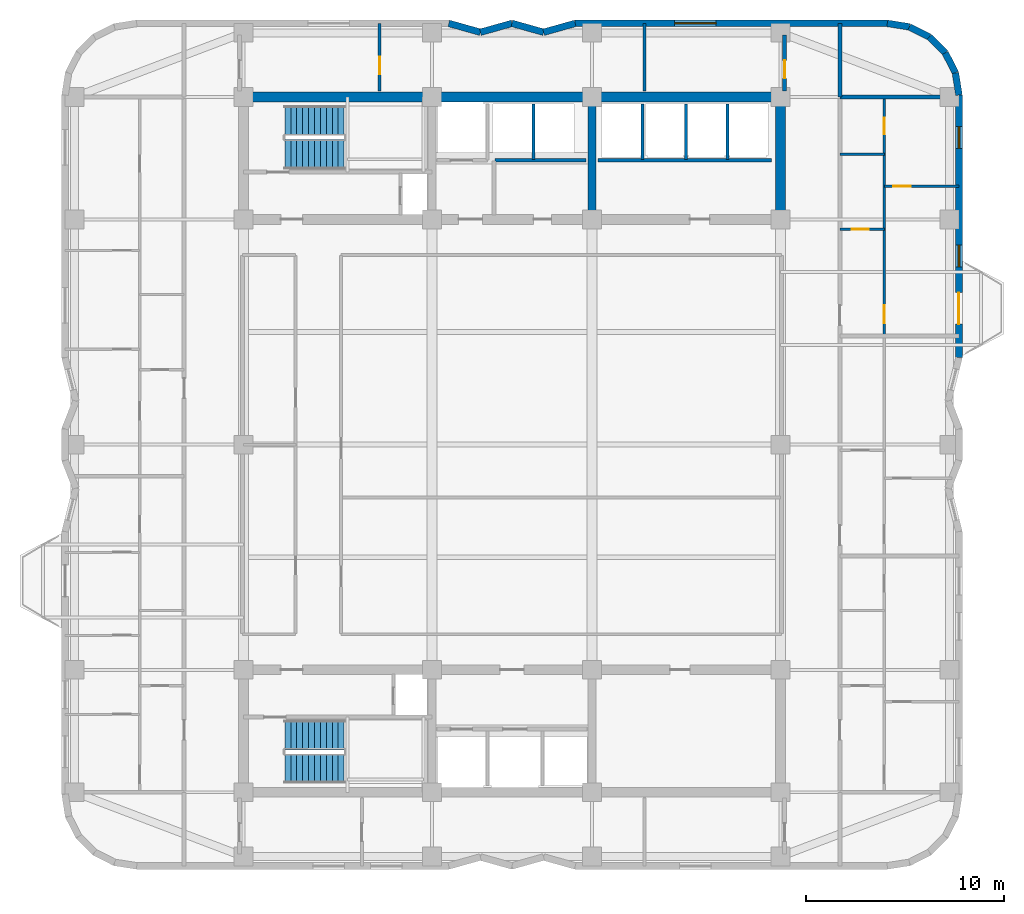
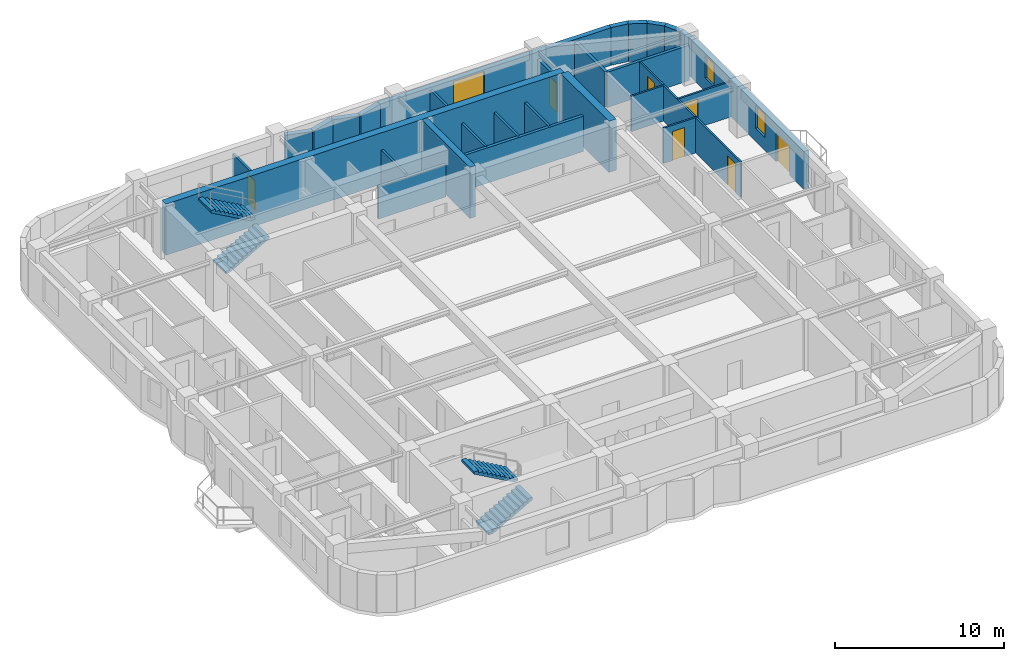
# One storey, part 6 of 8: 29 walls, 7 doors, 4 stair flights, 3 windows, 10 openings, 2 elements without a shape of their own.
"""IFC4 building model written with IfcOpenShell, lengths in metres."""

from ifc_helpers import new_model, si_unit, direction, frame, frame_2d, origin, place, context, subcontext, project, spatial, polyline, rectangle, outline, extrude, material, layer, layer_set, type_object, element, fill, aggregate, save


model = new_model("IFC4")

# Units and contexts
model_context = context("Model", 3, precision=1e-05, world=origin(), true_north=direction((0.0, 1.0)))
body_context = subcontext(model_context, "Body", "Model", "MODEL_VIEW")
ifc_project = project(units=[si_unit("LENGTHUNIT", "METRE"), si_unit("AREAUNIT", "SQUARE_METRE"), si_unit("VOLUMEUNIT", "CUBIC_METRE"), si_unit("PLANEANGLEUNIT", "RADIAN"), si_unit("MASSUNIT", "GRAM", prefix="KILO")], contexts=[model_context])

# Site, building, storey
site_placement = place(None, origin())
site = spatial("IfcSite", under=ifc_project, at=site_placement, CompositionType="ELEMENT")
building_placement = place(site_placement, origin())
building = spatial("IfcBuilding", under=site, at=building_placement, Name="Svetorya Sky Lyceum", CompositionType="ELEMENT")
storey_placement = place(building_placement, frame((0.0, 0.0, 147.800048828125)))
storey = spatial("IfcBuildingStorey", under=building, at=storey_placement, Name="L36", CompositionType="ELEMENT", Elevation=147.800048828125)

# Walls
ifc_material_1 = material(Name="Concrete C40/50", Category="concrete")
ifc_layer_1 = layer(ifc_material_1, 0.39990234375)
ifc_layer_set_1 = layer_set([ifc_layer_1], Name="Concrete C40/50")
wall_type_1 = type_object("IfcWallType", Name="WL-CORE-400", PredefinedType="SHEAR", material=ifc_layer_set_1)
wall_1_placement = place(storey_placement, frame((43.25, 39.85009765625, 0.0), z_axis=(0.0, 0.0, 1.0), x_axis=(0.0, 1.0, 0.0)))
element("IfcWall", 1, at=wall_1_placement, inside=storey, type_object=wall_type_1, Name="L36 NC Internal Shear Web WEB2", PredefinedType="SHEAR", context=body_context, shape_type="SweptSolid", body=[
    extrude(rectangle(XDim=5.699951171875, YDim=0.39990234375, at=frame_2d((2.85009765625, 0.0))), origin(), (0.0, 0.0, 1.0), 3.699951171875),
])
ifc_material_2 = material(Name="Concrete C50/60", Category="concrete")
ifc_layer_2 = layer(ifc_material_2, 0.5)
ifc_layer_set_2 = layer_set([ifc_layer_2], Name="Concrete C50/60")
wall_type_2 = type_object("IfcWallType", Name="WL-CORE-500", PredefinedType="SHEAR", material=ifc_layer_set_2)
wall_2_placement = place(storey_placement, frame((25.60009765625, 45.800048828125, 0.0), z_axis=(0.0, 0.0, 1.0), x_axis=(1.0, 0.0, 0.0)))
element("IfcWall", 2, at=wall_2_placement, inside=storey, type_object=wall_type_2, Name="L36 NC Outer Core Shear Wall", PredefinedType="SHEAR", context=body_context, shape_type="SweptSolid", body=[
    extrude(rectangle(XDim=27.199951171875, YDim=0.5, at=frame_2d((13.60009765625, 0.0))), origin(), (0.0, 0.0, 1.0), 3.699951171875),
])
wall_3_placement = place(storey_placement, frame((52.800048828125, 39.85009765625, 0.0), z_axis=(0.0, 0.0, 1.0), x_axis=(0.0, 1.0, 0.0)))
element("IfcWall", 3, at=wall_3_placement, inside=storey, type_object=wall_type_2, Name="L36 NC East Core Shear Wall", PredefinedType="SHEAR", context=body_context, shape_type="SweptSolid", body=[
    extrude(rectangle(XDim=5.699951171875, YDim=0.5, at=frame_2d((2.85009765625, 0.0))), origin(), (0.0, 0.0, 1.0), 3.699951171875),
])

# Wall, openings, door, windows
ifc_material_3 = material(Name="Putilovo limestone rainscreen on autoclaved cellular masonry", Category="masonry")
ifc_layer_3 = layer(ifc_material_3, 0.340087890625)
ifc_layer_set_3 = layer_set([ifc_layer_3], Name="Putilovo limestone rainscreen on autoclaved cellular masonry")
wall_type_3 = type_object("IfcWallType", Name="WL-EXT-340", PredefinedType="SOLIDWALL", material=ifc_layer_set_3)
wall_4_placement = place(storey_placement, frame((61.830078125, 32.60009765625, 0.0), z_axis=(0.0, 0.0, 1.0), x_axis=(0.0, 1.0, 0.0)))
wall_4 = element("IfcWall", 4, at=wall_4_placement, inside=storey, type_object=wall_type_3, Name="L36 Limestone Exterior Wall 23M", PredefinedType="SOLIDWALL", context=body_context, shape_type="SweptSolid", body=[
    extrude(rectangle(XDim=13.2998046875, YDim=0.340087890625, at=frame_2d((6.64990234375, 0.0))), origin(), (0.0, 0.0, 1.0), 2.719970703125),
])
opening_1_placement = place(wall_4_placement, frame((1.699951171875, 0.0, 0.0)))
opening_1 = element("IfcOpeningElement", 5, at=opening_1_placement, cuts=wall_4, Name="Opening D-BL1", PredefinedType="OPENING", context=body_context, shape_type="SweptSolid", body=[
    extrude(rectangle(XDim=1.60009765625, YDim=2.10009765625, at=frame_2d((0.800048828125, 1.050048828125))), frame((0.0, 0.179931640625, 0.0), z_axis=(0.0, -1.0, 0.0), x_axis=(1.0, 0.0, 0.0)), (0.0, 0.0, 1.0), 0.360107421875),
])
opening_2_placement = place(wall_4_placement, frame((4.60009765625, 0.0, 0.949951171875)))
opening_2 = element("IfcOpeningElement", 6, at=opening_2_placement, cuts=wall_4, Name="Opening W-R3", PredefinedType="OPENING", context=body_context, shape_type="SweptSolid", body=[
    extrude(rectangle(XDim=1.10009765625, YDim=1.64990234375, at=frame_2d((0.550048828125, 0.824951171875))), frame((0.0, 0.179931640625, 0.0), z_axis=(0.0, -1.0, 0.0), x_axis=(1.0, 0.0, 0.0)), (0.0, 0.0, 1.0), 0.360107421875),
])
opening_3_placement = place(wall_4_placement, frame((10.60009765625, 0.0, 0.949951171875)))
opening_3 = element("IfcOpeningElement", 7, at=opening_3_placement, cuts=wall_4, Name="Opening W-R3", PredefinedType="OPENING", context=body_context, shape_type="SweptSolid", body=[
    extrude(rectangle(XDim=1.10009765625, YDim=1.64990234375, at=frame_2d((0.550048828125, 0.824951171875))), frame((0.0, 0.179931640625, 0.0), z_axis=(0.0, -1.0, 0.0), x_axis=(1.0, 0.0, 0.0)), (0.0, 0.0, 1.0), 0.360107421875),
])
ifc_material_4 = material(Name="Insulated glazed aluminium balcony door", Category="aluminium")
door_type_1 = type_object("IfcDoorType", Name="DR-BAL-1600", OperationType="DOUBLE_DOOR_SINGLE_SWING", PredefinedType="DOOR", material=ifc_material_4)
door_1_placement = place(opening_1_placement, origin())
door_1 = element("IfcDoor", 8, at=door_1_placement, inside=storey, type_object=door_type_1, Name="L36 Balcony BAL-E1 Door", OperationType="DOUBLE_DOOR_SINGLE_SWING", OverallHeight=2.10009765625, OverallWidth=1.60009765625, PredefinedType="DOOR", context=body_context, shape_type="SweptSolid", body=[
    extrude(rectangle(XDim=1.60009765625, YDim=2.10009765625, at=frame_2d((0.800048828125, 1.050048828125))), frame((0.0, 0.02490234375, 0.0), z_axis=(0.0, -1.0, 0.0), x_axis=(1.0, 0.0, 0.0)), (0.0, 0.0, 1.0), 0.050048828125),
])
fill(opening_1, door_1)
ifc_material_5 = material(Name="Thermally broken aluminium frame with triple low-E glazing", Category="aluminium")
window_type_1 = type_object("IfcWindowType", Name="WN-RES-110", PartitioningType="SINGLE_PANEL", PredefinedType="WINDOW", material=ifc_material_5)
window_1_placement = place(opening_2_placement, origin())
window_1 = element("IfcWindow", 9, at=window_1_placement, inside=storey, type_object=window_type_1, Name="L36 Facade Window W-R3.23M.1", OverallHeight=1.64990234375, OverallWidth=1.10009765625, PartitioningType="SINGLE_PANEL", PredefinedType="WINDOW", context=body_context, shape_type="SweptSolid", body=[
    extrude(rectangle(XDim=1.10009765625, YDim=1.64990234375, at=frame_2d((0.550048828125, 0.824951171875))), frame((0.0, 0.030029296875, 0.0), z_axis=(0.0, -1.0, 0.0), x_axis=(1.0, 0.0, 0.0)), (0.0, 0.0, 1.0), 0.06005859375),
])
fill(opening_2, window_1)
window_2_placement = place(opening_3_placement, origin())
window_2 = element("IfcWindow", 10, at=window_2_placement, inside=storey, type_object=window_type_1, Name="L36 Facade Window W-R3.23M.2", OverallHeight=1.64990234375, OverallWidth=1.10009765625, PartitioningType="SINGLE_PANEL", PredefinedType="WINDOW", context=body_context, shape_type="SweptSolid", body=[
    extrude(rectangle(XDim=1.10009765625, YDim=1.64990234375, at=frame_2d((0.550048828125, 0.824951171875))), frame((0.0, 0.030029296875, 0.0), z_axis=(0.0, -1.0, 0.0), x_axis=(1.0, 0.0, 0.0)), (0.0, 0.0, 1.0), 0.06005859375),
])
fill(opening_3, window_2)

# Walls
for number, where, z_axis, x_axis, name in (
    (11, (61.830078125, 45.89990234375, 0.0), (0.0, 0.0, 1.0), (-0.156481329164, 0.987680916907, 0.0), "L36 Limestone Exterior Wall 24M"),
    (12, (61.65234375, 47.021728515625, 0.0), (0.0, 0.0, 1.0), (-0.453993402883, 0.891005044957, 0.0), "L36 Limestone Exterior Wall 25M"),
):
    element("IfcWall", number, at=place(storey_placement, frame(where, z_axis=z_axis, x_axis=x_axis)), inside=storey, type_object=wall_type_3, Name=name, PredefinedType="SOLIDWALL", context=body_context, shape_type="SweptSolid", body=[
        extrude(rectangle(XDim=1.1357421875, YDim=0.340087890625, at=frame_2d((0.56787109375, 0.0))), origin(), (0.0, 0.0, 1.0), 2.719970703125),
    ])
wall_5_placement = place(storey_placement, frame((61.13671875, 48.03369140625, 0.0), z_axis=(0.0, 0.0, 1.0), x_axis=(-0.707106781187, 0.707106781187, 0.0)))
element("IfcWall", 13, at=wall_5_placement, inside=storey, type_object=wall_type_3, Name="L36 Limestone Exterior Wall 26M", PredefinedType="SOLIDWALL", context=body_context, shape_type="SweptSolid", body=[
    extrude(rectangle(XDim=1.135498046875, YDim=0.340087890625, at=frame_2d((0.56787109375, 0.0))), origin(), (0.0, 0.0, 1.0), 2.719970703125),
])
for number, where, z_axis, x_axis, name in (
    (14, (60.333740234375, 48.836669921875, 0.0), (0.0, 0.0, 1.0), (-0.891005044957, 0.453993402883, 0.0), "L36 Limestone Exterior Wall 27M"),
    (15, (59.32177734375, 49.352294921875, 0.0), (0.0, 0.0, 1.0), (-0.987680916907, 0.156481329164, 0.0), "L36 Limestone Exterior Wall 28M"),
):
    element("IfcWall", number, at=place(storey_placement, frame(where, z_axis=z_axis, x_axis=x_axis)), inside=storey, type_object=wall_type_3, Name=name, PredefinedType="SOLIDWALL", context=body_context, shape_type="SweptSolid", body=[
        extrude(rectangle(XDim=1.1357421875, YDim=0.340087890625, at=frame_2d((0.56787109375, 0.0))), origin(), (0.0, 0.0, 1.0), 2.719970703125),
    ])

# Wall, opening, window
wall_6_placement = place(storey_placement, frame((58.199951171875, 49.530029296875, 0.0), z_axis=(0.0, 0.0, 1.0), x_axis=(-1.0, 0.0, 0.0)))
wall_6 = element("IfcWall", 16, at=wall_6_placement, inside=storey, type_object=wall_type_3, Name="L36 Limestone Exterior Wall 29M", PredefinedType="SOLIDWALL", context=body_context, shape_type="SweptSolid", body=[
    extrude(rectangle(XDim=15.800048828125, YDim=0.340087890625, at=frame_2d((7.89990234375, 0.0))), origin(), (0.0, 0.0, 1.0), 2.719970703125),
])
opening_4_placement = place(wall_6_placement, frame((8.66259765625, 0.0, 0.699951171875)))
opening_4 = element("IfcOpeningElement", 17, at=opening_4_placement, cuts=wall_6, Name="Opening W-R0", PredefinedType="OPENING", context=body_context, shape_type="SweptSolid", body=[
    extrude(rectangle(XDim=2.10009765625, YDim=1.89990234375, at=frame_2d((1.050048828125, 0.949951171875))), frame((0.0, 0.179931640625, 0.0), z_axis=(0.0, -1.0, 0.0), x_axis=(1.0, 0.0, 0.0)), (0.0, 0.0, 1.0), 0.360107421875),
])
window_type_2 = type_object("IfcWindowType", Name="WN-RES-210", PartitioningType="TRIPLE_PANEL_VERTICAL", PredefinedType="WINDOW", material=ifc_material_5)
window_3_placement = place(opening_4_placement, origin())
window_3 = element("IfcWindow", 18, at=window_3_placement, inside=storey, type_object=window_type_2, Name="L36 Facade Window W-R0.29M.1", OverallHeight=1.89990234375, OverallWidth=2.10009765625, PartitioningType="SINGLE_PANEL", PredefinedType="WINDOW", context=body_context, shape_type="SweptSolid", body=[
    extrude(rectangle(XDim=2.10009765625, YDim=1.89990234375, at=frame_2d((1.050048828125, 0.949951171875))), frame((0.0, 0.030029296875, 0.0), z_axis=(0.0, -1.0, 0.0), x_axis=(1.0, 0.0, 0.0)), (0.0, 0.0, 1.0), 0.06005859375),
])
fill(opening_4, window_3)

# Walls
wall_7_placement = place(storey_placement, frame((42.39990234375, 49.530029296875, 0.0), z_axis=(0.0, 0.0, 1.0), x_axis=(-0.962652136636, -0.270741322725, 0.0)))
element("IfcWall", 19, at=wall_7_placement, inside=storey, type_object=wall_type_3, Name="L36 Limestone Exterior Wall 30M", PredefinedType="SOLIDWALL", context=body_context, shape_type="SweptSolid", body=[
    extrude(rectangle(XDim=1.661865234375, YDim=0.340087890625, at=frame_2d((0.8310546875, 0.0))), origin(), (0.0, 0.0, 1.0), 2.719970703125),
])
wall_8_placement = place(storey_placement, frame((40.800048828125, 49.080078125, 0.0), z_axis=(0.0, 0.0, 1.0), x_axis=(-0.962662902433, 0.270703040766, 0.0)))
element("IfcWall", 20, at=wall_8_placement, inside=storey, type_object=wall_type_3, Name="L36 Limestone Exterior Wall 31M", PredefinedType="SOLIDWALL", context=body_context, shape_type="SweptSolid", body=[
    extrude(rectangle(XDim=1.662109375, YDim=0.340087890625, at=frame_2d((0.8310546875, 0.0))), origin(), (0.0, 0.0, 1.0), 2.719970703125),
])
wall_9_placement = place(storey_placement, frame((39.199951171875, 49.530029296875, 0.0), z_axis=(0.0, 0.0, 1.0), x_axis=(-0.962652136636, -0.270741322725, 0.0)))
element("IfcWall", 21, at=wall_9_placement, inside=storey, type_object=wall_type_3, Name="L36 Limestone Exterior Wall 32M", PredefinedType="SOLIDWALL", context=body_context, shape_type="SweptSolid", body=[
    extrude(rectangle(XDim=1.661865234375, YDim=0.340087890625, at=frame_2d((0.8310546875, 0.0))), origin(), (0.0, 0.0, 1.0), 2.719970703125),
])
wall_10_placement = place(storey_placement, frame((37.60009765625, 49.080078125, 0.0), z_axis=(0.0, 0.0, 1.0), x_axis=(-0.962662902433, 0.270703040766, 0.0)))
element("IfcWall", 22, at=wall_10_placement, inside=storey, type_object=wall_type_3, Name="L36 Limestone Exterior Wall 33M", PredefinedType="SOLIDWALL", context=body_context, shape_type="SweptSolid", body=[
    extrude(rectangle(XDim=1.662109375, YDim=0.340087890625, at=frame_2d((0.8310546875, 0.0))), origin(), (0.0, 0.0, 1.0), 2.719970703125),
])

# Wall, opening, door
ifc_material_6 = material(Name="Twin-stud galvanized framing with double fireboard", Category="gypsum")
ifc_layer_4 = layer(ifc_material_6, 0.1201171875)
ifc_layer_set_4 = layer_set([ifc_layer_4], Name="Twin-stud galvanized framing with double fireboard")
wall_type_4 = type_object("IfcWallType", Name="WL-PART-120", PredefinedType="PARTITIONING", material=ifc_layer_set_4)
wall_11_placement = place(storey_placement, frame((55.800048828125, 39.10009765625, 0.0), z_axis=(0.0, 0.0, 1.0), x_axis=(1.0, 0.0, 0.0)))
wall_11 = element("IfcWall", 23, at=wall_11_placement, inside=storey, type_object=wall_type_4, Name="L36 Interior Partition E3-WH1", PredefinedType="PARTITIONING", context=body_context, shape_type="SweptSolid", body=[
    extrude(rectangle(XDim=2.25, YDim=0.1201171875, at=frame_2d((1.125, 0.0))), origin(), (0.0, 0.0, 1.0), 2.550048828125),
])
opening_5_placement = place(wall_11_placement, frame((0.60009765625, 0.0, 0.0)))
opening_5 = element("IfcOpeningElement", 24, at=opening_5_placement, cuts=wall_11, Name="Opening D-BT1", PredefinedType="OPENING", context=body_context, shape_type="SweptSolid", body=[
    extrude(rectangle(XDim=0.85009765625, YDim=2.10009765625, at=frame_2d((0.425048828125, 1.050048828125))), frame((0.0, 0.070068359375, 0.0), z_axis=(0.0, -1.0, 0.0), x_axis=(1.0, 0.0, 0.0)), (0.0, 0.0, 1.0), 0.14013671875),
])
ifc_material_7 = material(Name="Moisture-resistant laminate bathroom door")
door_type_2 = type_object("IfcDoorType", Name="DR-WET-850", OperationType="SINGLE_SWING_LEFT", PredefinedType="DOOR", material=ifc_material_7)
door_2_placement = place(opening_5_placement, origin())
door_2 = element("IfcDoor", 25, at=door_2_placement, inside=storey, type_object=door_type_2, Name="Apartment E3 Bathroom Door", OperationType="SINGLE_SWING_RIGHT", OverallHeight=2.10009765625, OverallWidth=0.85009765625, PredefinedType="DOOR", context=body_context, shape_type="SweptSolid", body=[
    extrude(rectangle(XDim=0.85009765625, YDim=2.10009765625, at=frame_2d((0.425048828125, 1.050048828125))), frame((0.0, 0.02490234375, 0.0), z_axis=(0.0, -1.0, 0.0), x_axis=(1.0, 0.0, 0.0)), (0.0, 0.0, 1.0), 0.050048828125),
])
fill(opening_5, door_2)

# Wall
wall_12_placement = place(storey_placement, frame((55.800048828125, 42.89990234375, 0.0), z_axis=(0.0, 0.0, 1.0), x_axis=(1.0, 0.0, 0.0)))
element("IfcWall", 26, at=wall_12_placement, inside=storey, type_object=wall_type_4, Name="L36 Interior Partition E3-WH2", PredefinedType="PARTITIONING", context=body_context, shape_type="SweptSolid", body=[
    extrude(rectangle(XDim=2.25, YDim=0.1201171875, at=frame_2d((1.125, 0.0))), origin(), (0.0, 0.0, 1.0), 2.550048828125),
])

# Wall, opening, door
wall_13_placement = place(storey_placement, frame((58.050048828125, 41.280029296875, 0.0), z_axis=(0.0, 0.0, 1.0), x_axis=(1.0, 0.0, 0.0)))
wall_13 = element("IfcWall", 27, at=wall_13_placement, inside=storey, type_object=wall_type_4, Name="L36 Interior Partition E3-WL1", PredefinedType="PARTITIONING", context=body_context, shape_type="SweptSolid", body=[
    extrude(rectangle(XDim=3.780029296875, YDim=0.1201171875, at=frame_2d((1.89013671875, 0.0))), origin(), (0.0, 0.0, 1.0), 2.550048828125),
])
opening_6_placement = place(wall_13_placement, frame((0.449951171875, 0.0, 0.0)))
opening_6 = element("IfcOpeningElement", 28, at=opening_6_placement, cuts=wall_13, Name="Opening D-RM1", PredefinedType="OPENING", context=body_context, shape_type="SweptSolid", body=[
    extrude(rectangle(XDim=0.89990234375, YDim=2.10009765625, at=frame_2d((0.449951171875, 1.050048828125))), frame((0.0, 0.070068359375, 0.0), z_axis=(0.0, -1.0, 0.0), x_axis=(1.0, 0.0, 0.0)), (0.0, 0.0, 1.0), 0.14013671875),
])
ifc_material_8 = material(Name="Lacquered birch veneer internal door")
door_type_3 = type_object("IfcDoorType", Name="DR-INT-900", OperationType="SINGLE_SWING_LEFT", PredefinedType="DOOR", material=ifc_material_8)
door_3_placement = place(opening_6_placement, origin())
door_3 = element("IfcDoor", 29, at=door_3_placement, inside=storey, type_object=door_type_3, Name="Apartment E3 Bedroom 1 Door", OperationType="SINGLE_SWING_RIGHT", OverallHeight=2.10009765625, OverallWidth=0.89990234375, PredefinedType="DOOR", context=body_context, shape_type="SweptSolid", body=[
    extrude(rectangle(XDim=0.89990234375, YDim=2.10009765625, at=frame_2d((0.449951171875, 1.050048828125))), frame((0.0, 0.02490234375, 0.0), z_axis=(0.0, -1.0, 0.0), x_axis=(1.0, 0.0, 0.0)), (0.0, 0.0, 1.0), 0.050048828125),
])
fill(opening_6, door_3)

# Wall, openings, doors
wall_14_placement = place(storey_placement, frame((58.050048828125, 33.739990234375, 0.0), z_axis=(0.0, 0.0, 1.0), x_axis=(0.0, 1.0, 0.0)))
wall_14 = element("IfcWall", 30, at=wall_14_placement, inside=storey, type_object=wall_type_4, Name="L36 Interior Partition E3-WV", PredefinedType="PARTITIONING", context=body_context, shape_type="SweptSolid", body=[
    extrude(rectangle(XDim=12.02001953125, YDim=0.1201171875, at=frame_2d((6.010009765625, 0.0))), origin(), (0.0, 0.0, 1.0), 2.550048828125),
])
opening_7_placement = place(wall_14_placement, frame((0.610107421875, 0.0, 0.0)))
opening_7 = element("IfcOpeningElement", 31, at=opening_7_placement, cuts=wall_14, Name="Opening D-RM1", PredefinedType="OPENING", context=body_context, shape_type="SweptSolid", body=[
    extrude(rectangle(XDim=0.89990234375, YDim=2.10009765625, at=frame_2d((0.449951171875, 1.050048828125))), frame((0.0, 0.070068359375, 0.0), z_axis=(0.0, -1.0, 0.0), x_axis=(1.0, 0.0, 0.0)), (0.0, 0.0, 1.0), 0.14013671875),
])
opening_8_placement = place(wall_14_placement, frame((10.18505859375, 0.0, 0.0)))
opening_8 = element("IfcOpeningElement", 32, at=opening_8_placement, cuts=wall_14, Name="Opening D-BT2", PredefinedType="OPENING", context=body_context, shape_type="SweptSolid", body=[
    extrude(rectangle(XDim=0.820068359375, YDim=2.080078125, at=frame_2d((0.41015625, 1.0400390625))), frame((0.0, 0.070068359375, 0.0), z_axis=(0.0, -1.0, 0.0), x_axis=(1.0, 0.0, 0.0)), (0.0, 0.0, 1.0), 0.14013671875),
])
door_4_placement = place(opening_7_placement, origin())
door_4 = element("IfcDoor", 33, at=door_4_placement, inside=storey, type_object=door_type_3, Name="Apartment E3 Living Door", OperationType="SINGLE_SWING_LEFT", OverallHeight=2.10009765625, OverallWidth=0.89990234375, PredefinedType="DOOR", context=body_context, shape_type="SweptSolid", body=[
    extrude(rectangle(XDim=0.89990234375, YDim=2.10009765625, at=frame_2d((0.449951171875, 1.050048828125))), frame((0.0, 0.02490234375, 0.0), z_axis=(0.0, -1.0, 0.0), x_axis=(1.0, 0.0, 0.0)), (0.0, 0.0, 1.0), 0.050048828125),
])
fill(opening_7, door_4)
ifc_material_9 = material(Name="Compact moisture-resistant laminate closet door")
door_type_4 = type_object("IfcDoorType", Name="DR-WET-820", OperationType="SINGLE_SWING_LEFT", PredefinedType="DOOR", material=ifc_material_9)
door_5_placement = place(opening_8_placement, origin())
door_5 = element("IfcDoor", 34, at=door_5_placement, inside=storey, type_object=door_type_4, Name="Apartment E3 Study Door", OperationType="SINGLE_SWING_RIGHT", OverallHeight=2.080078125, OverallWidth=0.820068359375, PredefinedType="DOOR", context=body_context, shape_type="SweptSolid", body=[
    extrude(rectangle(XDim=0.820068359375, YDim=2.080078125, at=frame_2d((0.41015625, 1.0400390625))), frame((0.0, 0.02490234375, 0.0), z_axis=(0.0, -1.0, 0.0), x_axis=(1.0, 0.0, 0.0)), (0.0, 0.0, 1.0), 0.050048828125),
])
fill(opening_8, door_5)

# Walls
ifc_material_10 = material(Name="Autoclaved cellular masonry blockwork with acoustic render", Category="masonry")
ifc_layer_5 = layer(ifc_material_10, 0.14990234375)
ifc_layer_set_5 = layer_set([ifc_layer_5], Name="Autoclaved cellular masonry blockwork with acoustic render")
wall_type_5 = type_object("IfcWallType", Name="WL-PART-150", PredefinedType="PARTITIONING", material=ifc_layer_set_5)
for number, where, z_axis, x_axis, name in (
    (35, (40.300048828125, 42.64990234375, 0.0), (0.0, 0.0, 1.0), (0.0, 1.0, 0.0), "L36 Interior Partition NC-PM-D1"),
    (36, (45.800048828125, 42.64990234375, 0.0), (0.0, 0.0, 1.0), (0.0, 1.0, 0.0), "L36 Interior Partition NC-PM3-D"),
    (37, (48.0, 42.64990234375, 0.0), (0.0, 0.0, 1.0), (0.0, 1.0, 0.0), "L36 Interior Partition NC-PH-D1"),
    (38, (50.10009765625, 42.64990234375, 0.0), (0.0, 0.0, 1.0), (0.0, 1.0, 0.0), "L36 Interior Partition NC-PH-D2"),
):
    element("IfcWall", number, at=place(storey_placement, frame(where, z_axis=z_axis, x_axis=x_axis)), inside=storey, type_object=wall_type_5, Name=name, PredefinedType="PARTITIONING", context=body_context, shape_type="SweptSolid", body=[
        extrude(rectangle(XDim=2.800048828125, YDim=0.14990234375, at=frame_2d((1.39990234375, 0.0))), origin(), (0.0, 0.0, 1.0), 2.550048828125),
    ])

# Wall, opening, door
wall_15_placement = place(storey_placement, frame((32.5, 46.10009765625, 0.0), z_axis=(0.0, 0.0, 1.0), x_axis=(0.0, 1.0, 0.0)))
wall_15 = element("IfcWall", 39, at=wall_15_placement, inside=storey, type_object=wall_type_5, Name="L36 Interior Partition N-D1", PredefinedType="PARTITIONING", context=body_context, shape_type="SweptSolid", body=[
    extrude(rectangle(XDim=3.429931640625, YDim=0.14990234375, at=frame_2d((1.71484375, 0.0))), origin(), (0.0, 0.0, 1.0), 2.550048828125),
])
opening_9_placement = place(wall_15_placement, frame((0.85009765625, 0.0, 0.0)))
opening_9 = element("IfcOpeningElement", 40, at=opening_9_placement, cuts=wall_15, Name="Opening D-RM1", PredefinedType="OPENING", context=body_context, shape_type="SweptSolid", body=[
    extrude(rectangle(XDim=0.89990234375, YDim=2.10009765625, at=frame_2d((0.449951171875, 1.050048828125))), frame((0.0, 0.0849609375, 0.0), z_axis=(0.0, -1.0, 0.0), x_axis=(1.0, 0.0, 0.0)), (0.0, 0.0, 1.0), 0.169921875),
])
door_6_placement = place(opening_9_placement, origin())
door_6 = element("IfcDoor", 41, at=door_6_placement, inside=storey, type_object=door_type_3, Name="L36 North Store Door", OperationType="SINGLE_SWING_RIGHT", OverallHeight=2.10009765625, OverallWidth=0.89990234375, PredefinedType="DOOR", context=body_context, shape_type="SweptSolid", body=[
    extrude(rectangle(XDim=0.89990234375, YDim=2.10009765625, at=frame_2d((0.449951171875, 1.050048828125))), frame((0.0, 0.02490234375, 0.0), z_axis=(0.0, -1.0, 0.0), x_axis=(1.0, 0.0, 0.0)), (0.0, 0.0, 1.0), 0.050048828125),
])
fill(opening_9, door_6)

# Walls
wall_16_placement = place(storey_placement, frame((45.89990234375, 46.10009765625, 0.0), z_axis=(0.0, 0.0, 1.0), x_axis=(0.0, 1.0, 0.0)))
element("IfcWall", 42, at=wall_16_placement, inside=storey, type_object=wall_type_5, Name="L36 Interior Partition N-D2", PredefinedType="PARTITIONING", context=body_context, shape_type="SweptSolid", body=[
    extrude(rectangle(XDim=3.429931640625, YDim=0.14990234375, at=frame_2d((1.71484375, 0.0))), origin(), (0.0, 0.0, 1.0), 2.550048828125),
])
ifc_material_11 = material(Name="Autoclaved cellular masonry blockwork with gypsum plaster", Category="masonry")
ifc_layer_6 = layer(ifc_material_11, 0.199951171875)
ifc_layer_set_6 = layer_set([ifc_layer_6], Name="Autoclaved cellular masonry blockwork with gypsum plaster")
wall_type_6 = type_object("IfcWallType", Name="WL-PART-200", PredefinedType="PARTITIONING", material=ifc_layer_set_6)
wall_17_placement = place(storey_placement, frame((42.949951171875, 42.60009765625, 0.0), z_axis=(0.0, 0.0, 1.0), x_axis=(-1.0, 0.0, 0.0)))
element("IfcWall", 43, at=wall_17_placement, inside=storey, type_object=wall_type_6, Name="L36 Interior Partition NC-PM12W", PredefinedType="PARTITIONING", context=body_context, shape_type="SweptSolid", body=[
    extrude(rectangle(XDim=4.599853515625, YDim=0.199951171875, at=frame_2d((2.2998046875, 0.0))), origin(), (0.0, 0.0, 1.0), 2.320068359375),
])
wall_18_placement = place(storey_placement, frame((52.35009765625, 42.60009765625, 0.0), z_axis=(0.0, 0.0, 1.0), x_axis=(-1.0, 0.0, 0.0)))
element("IfcWall", 44, at=wall_18_placement, inside=storey, type_object=wall_type_6, Name="L36 Interior Partition NC-PHEW", PredefinedType="PARTITIONING", context=body_context, shape_type="SweptSolid", body=[
    extrude(rectangle(XDim=8.800048828125, YDim=0.199951171875, at=frame_2d((4.39990234375, 0.0))), origin(), (0.0, 0.0, 1.0), 2.550048828125),
])
wall_19_placement = place(storey_placement, frame((55.800048828125, 45.800048828125, 0.0), z_axis=(0.0, 0.0, 1.0), x_axis=(1.0, 0.0, 0.0)))
element("IfcWall", 45, at=wall_19_placement, inside=storey, type_object=wall_type_6, Name="L36 Interior Partition E-CAP-N", PredefinedType="PARTITIONING", context=body_context, shape_type="SweptSolid", body=[
    extrude(rectangle(XDim=5.60986328125, YDim=0.199951171875, at=frame_2d((2.804931640625, 0.0))), origin(), (0.0, 0.0, 1.0), 2.550048828125),
])
wall_20_placement = place(storey_placement, frame((55.800048828125, 45.800048828125, 0.0), z_axis=(0.0, 0.0, 1.0), x_axis=(0.0, 1.0, 0.0)))
element("IfcWall", 46, at=wall_20_placement, inside=storey, type_object=wall_type_6, Name="L36 Interior Partition EC-NE-END", PredefinedType="PARTITIONING", context=body_context, shape_type="SweptSolid", body=[
    extrude(rectangle(XDim=3.72998046875, YDim=0.199951171875, at=frame_2d((1.864990234375, 0.0))), origin(), (0.0, 0.0, 1.0), 2.550048828125),
])

# Wall, opening, door
wall_21_placement = place(storey_placement, frame((53.0, 46.10009765625, 0.0), z_axis=(0.0, 0.0, 1.0), x_axis=(0.0, 1.0, 0.0)))
wall_21 = element("IfcWall", 47, at=wall_21_placement, inside=storey, type_object=wall_type_6, Name="L36 Interior Partition N-EE", PredefinedType="PARTITIONING", context=body_context, shape_type="SweptSolid", body=[
    extrude(rectangle(XDim=2.829833984375, YDim=0.199951171875, at=frame_2d((1.4150390625, 0.0))), origin(), (0.0, 0.0, 1.0), 2.550048828125),
])
opening_10_placement = place(wall_21_placement, frame((0.64990234375, 0.0, 0.0)))
opening_10 = element("IfcOpeningElement", 48, at=opening_10_placement, cuts=wall_21, Name="Opening D-RM1", PredefinedType="OPENING", context=body_context, shape_type="SweptSolid", body=[
    extrude(rectangle(XDim=0.89990234375, YDim=2.10009765625, at=frame_2d((0.449951171875, 1.050048828125))), frame((0.0, 0.10986328125, 0.0), z_axis=(0.0, -1.0, 0.0), x_axis=(1.0, 0.0, 0.0)), (0.0, 0.0, 1.0), 0.219970703125),
])
door_7_placement = place(opening_10_placement, origin())
door_7 = element("IfcDoor", 49, at=door_7_placement, inside=storey, type_object=door_type_3, Name="L36 North Meeting Door", OperationType="SINGLE_SWING_LEFT", OverallHeight=2.10009765625, OverallWidth=0.89990234375, PredefinedType="DOOR", context=body_context, shape_type="SweptSolid", body=[
    extrude(rectangle(XDim=0.89990234375, YDim=2.10009765625, at=frame_2d((0.449951171875, 1.050048828125))), frame((0.0, 0.02490234375, 0.0), z_axis=(0.0, -1.0, 0.0), x_axis=(1.0, 0.0, 0.0)), (0.0, 0.0, 1.0), 0.050048828125),
])
fill(opening_10, door_7)

# Stair, stair flights
stair_type_1 = type_object("IfcStairType", Name="STR-ST-N", PredefinedType="HALF_TURN_STAIR", material=ifc_material_1)
stair_1_placement = place(storey_placement, origin())
stair_1 = element("IfcStair", 50, at=stair_1_placement, inside=storey, type_object=stair_type_1, Name="L36 North Core Smoke-Free Exit Stair N3", PredefinedType="HALF_TURN_STAIR")
stair_flight_type_1 = type_object("IfcStairFlightType", Name="SFL-ST-N", PredefinedType="STRAIGHT", material=ifc_material_1)
stair_flight_1_placement = place(storey_placement, frame((27.699951171875, 42.89990234375, 0.0), z_axis=(0.0, 0.0, 1.0), x_axis=(1.0, 0.0, 0.0)))
stair_flight_1 = element("IfcStairFlight", 51, at=stair_flight_1_placement, type_object=stair_flight_type_1, Name="ST-N flight 1", NumberOfRisers=11, NumberOfTreads=10, PredefinedType="STRAIGHT", RiserHeight=0.168181818, TreadLength=0.3, context=body_context, shape_type="SweptSolid", body=[
    extrude(outline(polyline([(0.0, 0.0), (0.0, 0.168212890625), (0.300048828125, 0.168212890625), (0.300048828125, 0.33642578125), (0.60009765625, 0.33642578125), (0.60009765625, 0.504638671875), (0.89990234375, 0.504638671875), (0.89990234375, 0.672607421875), (1.199951171875, 0.672607421875), (1.199951171875, 0.8408203125), (1.5, 0.8408203125), (1.5, 1.009033203125), (1.800048828125, 1.009033203125), (1.800048828125, 1.17724609375), (2.10009765625, 1.17724609375), (2.10009765625, 1.345458984375), (2.39990234375, 1.345458984375), (2.39990234375, 1.513671875), (2.699951171875, 1.513671875), (2.699951171875, 1.681884765625), (3.0, 1.681884765625), (3.0, 1.85009765625), (3.0, 1.510009765625), (0.306640625, 0.0), (0.0, 0.0)])), frame((0.0, 0.75, 0.0), z_axis=(0.0, -1.0, 0.0), x_axis=(1.0, 0.0, 0.0)), (0.0, 0.0, 1.0), 1.5),
])
stair_flight_2_placement = place(storey_placement, frame((30.699951171875, 44.60009765625, 1.849853515625), z_axis=(0.0, 0.0, 1.0), x_axis=(-1.0, 0.0, 0.0)))
stair_flight_2 = element("IfcStairFlight", 52, at=stair_flight_2_placement, type_object=stair_flight_type_1, Name="ST-N flight 2", NumberOfRisers=11, NumberOfTreads=10, PredefinedType="STRAIGHT", RiserHeight=0.168181818, TreadLength=0.3, context=body_context, shape_type="SweptSolid", body=[
    extrude(outline(polyline([(0.0, 0.0), (0.0, 0.168212890625), (0.300048828125, 0.168212890625), (0.300048828125, 0.33642578125), (0.60009765625, 0.33642578125), (0.60009765625, 0.504638671875), (0.89990234375, 0.504638671875), (0.89990234375, 0.672607421875), (1.199951171875, 0.672607421875), (1.199951171875, 0.8408203125), (1.5, 0.8408203125), (1.5, 1.009033203125), (1.800048828125, 1.009033203125), (1.800048828125, 1.17724609375), (2.10009765625, 1.17724609375), (2.10009765625, 1.345458984375), (2.39990234375, 1.345458984375), (2.39990234375, 1.513671875), (2.699951171875, 1.513671875), (2.699951171875, 1.681884765625), (3.0, 1.681884765625), (3.0, 1.85009765625), (3.0, 1.510009765625), (0.306640625, 0.0), (0.0, 0.0)])), frame((0.0, 0.75, 0.0), z_axis=(0.0, -1.0, 0.0), x_axis=(1.0, 0.0, 0.0)), (0.0, 0.0, 1.0), 1.5),
])
aggregate(stair_1, [stair_flight_1, stair_flight_2])

stair_type_2 = type_object("IfcStairType", Name="STR-ST-S", PredefinedType="HALF_TURN_STAIR", material=ifc_material_1)
stair_2_placement = place(storey_placement, origin())
stair_2 = element("IfcStair", 53, at=stair_2_placement, inside=storey, type_object=stair_type_2, Name="L36 South Core Smoke-Free Exit Stair N2", PredefinedType="HALF_TURN_STAIR")
stair_flight_type_2 = type_object("IfcStairFlightType", Name="SFL-ST-S", PredefinedType="STRAIGHT", material=ifc_material_1)
stair_flight_3_placement = place(storey_placement, frame((27.699951171875, 11.800048828125, 0.0), z_axis=(0.0, 0.0, 1.0), x_axis=(1.0, 0.0, 0.0)))
stair_flight_3 = element("IfcStairFlight", 54, at=stair_flight_3_placement, type_object=stair_flight_type_2, Name="ST-S flight 1", NumberOfRisers=11, NumberOfTreads=10, PredefinedType="STRAIGHT", RiserHeight=0.168181818, TreadLength=0.3, context=body_context, shape_type="SweptSolid", body=[
    extrude(outline(polyline([(0.0, 0.0), (0.0, 0.168212890625), (0.300048828125, 0.168212890625), (0.300048828125, 0.33642578125), (0.60009765625, 0.33642578125), (0.60009765625, 0.504638671875), (0.89990234375, 0.504638671875), (0.89990234375, 0.672607421875), (1.199951171875, 0.672607421875), (1.199951171875, 0.8408203125), (1.5, 0.8408203125), (1.5, 1.009033203125), (1.800048828125, 1.009033203125), (1.800048828125, 1.17724609375), (2.10009765625, 1.17724609375), (2.10009765625, 1.345458984375), (2.39990234375, 1.345458984375), (2.39990234375, 1.513671875), (2.699951171875, 1.513671875), (2.699951171875, 1.681884765625), (3.0, 1.681884765625), (3.0, 1.85009765625), (3.0, 1.510009765625), (0.306640625, 0.0), (0.0, 0.0)])), frame((0.0, 0.75, 0.0), z_axis=(0.0, -1.0, 0.0), x_axis=(1.0, 0.0, 0.0)), (0.0, 0.0, 1.0), 1.5),
])
stair_flight_4_placement = place(storey_placement, frame((30.699951171875, 13.5, 1.849853515625), z_axis=(0.0, 0.0, 1.0), x_axis=(-1.0, 0.0, 0.0)))
stair_flight_4 = element("IfcStairFlight", 55, at=stair_flight_4_placement, type_object=stair_flight_type_2, Name="ST-S flight 2", NumberOfRisers=11, NumberOfTreads=10, PredefinedType="STRAIGHT", RiserHeight=0.168181818, TreadLength=0.3, context=body_context, shape_type="SweptSolid", body=[
    extrude(outline(polyline([(0.0, 0.0), (0.0, 0.168212890625), (0.300048828125, 0.168212890625), (0.300048828125, 0.33642578125), (0.60009765625, 0.33642578125), (0.60009765625, 0.504638671875), (0.89990234375, 0.504638671875), (0.89990234375, 0.672607421875), (1.199951171875, 0.672607421875), (1.199951171875, 0.8408203125), (1.5, 0.8408203125), (1.5, 1.009033203125), (1.800048828125, 1.009033203125), (1.800048828125, 1.17724609375), (2.10009765625, 1.17724609375), (2.10009765625, 1.345458984375), (2.39990234375, 1.345458984375), (2.39990234375, 1.513671875), (2.699951171875, 1.513671875), (2.699951171875, 1.681884765625), (3.0, 1.681884765625), (3.0, 1.85009765625), (3.0, 1.510009765625), (0.306640625, 0.0), (0.0, 0.0)])), frame((0.0, 0.75, 0.0), z_axis=(0.0, -1.0, 0.0), x_axis=(1.0, 0.0, 0.0)), (0.0, 0.0, 1.0), 1.5),
])
aggregate(stair_2, [stair_flight_3, stair_flight_4])

save(model, "model.ifc")
